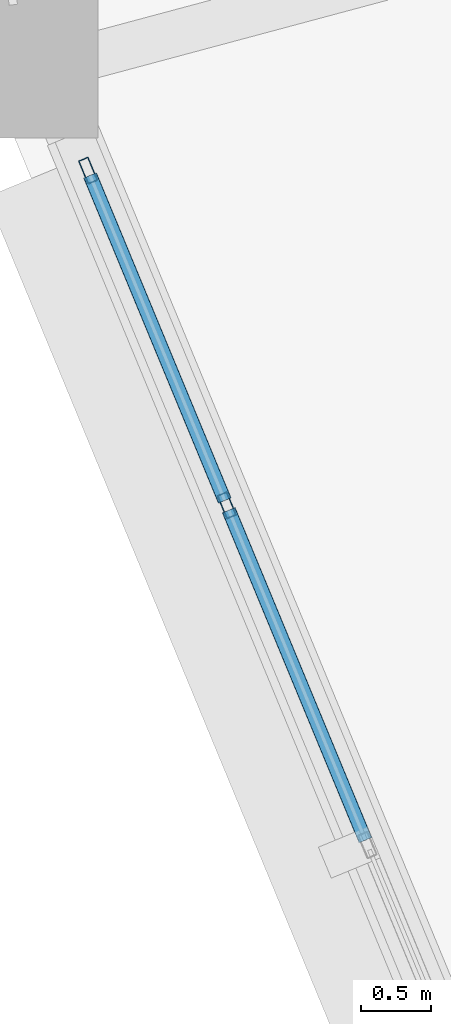
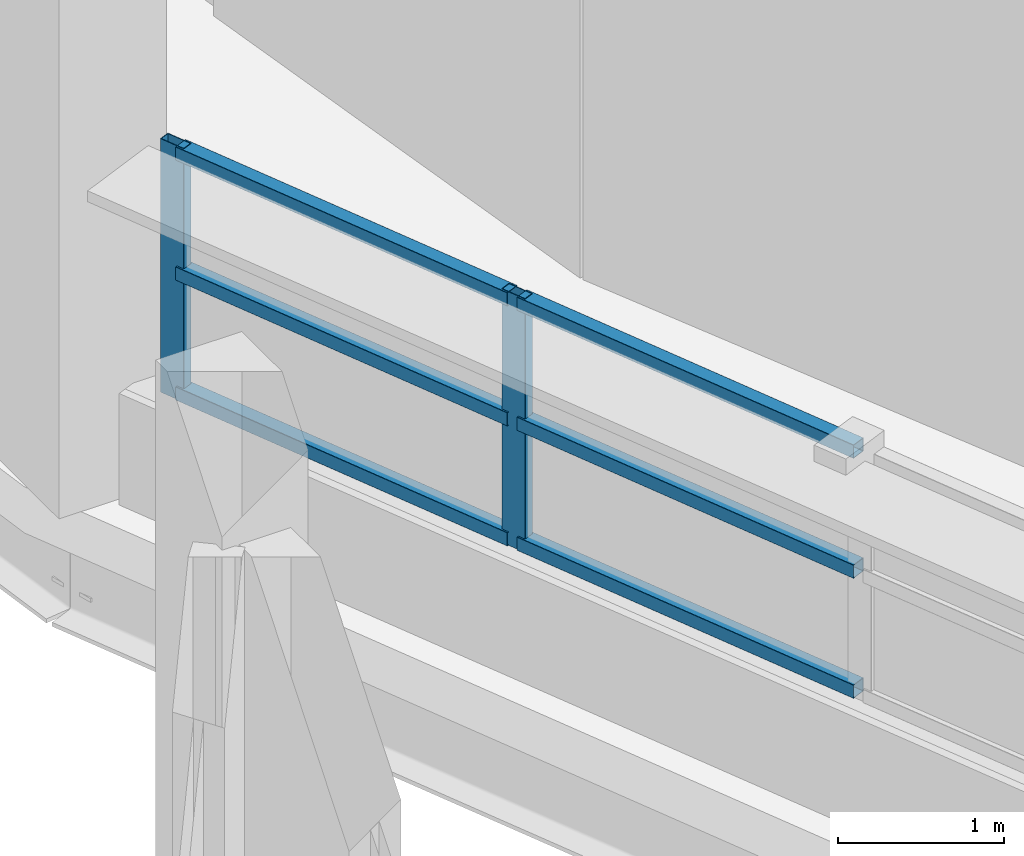
# One storey, part 18 of 121: 8 members, 1 element without a shape of its own.
"""IFC4 building model written with IfcOpenShell, lengths in metres."""

from ifc_helpers import new_model, si_unit, direction, frame, origin, origin_2d, place, context, subcontext, project, spatial, hollow_rectangle, extrude, material, layer, layer_set, material_profile, profile_set, type_object, element, aggregate, save


model = new_model("IFC4")

# Units and contexts
model_context = context("Model", 3, precision=1e-05, world=origin(), true_north=direction((0.0, 1.0)))
body_context = subcontext(model_context, "Body", "Model", "MODEL_VIEW")
ifc_project = project(units=[si_unit("LENGTHUNIT", "METRE"), si_unit("AREAUNIT", "SQUARE_METRE"), si_unit("VOLUMEUNIT", "CUBIC_METRE"), si_unit("PLANEANGLEUNIT", "RADIAN"), si_unit("MASSUNIT", "GRAM", prefix="KILO")], contexts=[model_context])

# Site, building, storey
site_placement = place(None, origin())
site = spatial("IfcSite", under=ifc_project, at=site_placement, CompositionType="ELEMENT")
building_placement = place(site_placement, origin())
building = spatial("IfcBuilding", under=site, at=building_placement, Name="Vespera Passage Community Centre", CompositionType="ELEMENT")
storey_placement = place(building_placement, frame((0.0, 0.0, 8.699951171875)))
storey = spatial("IfcBuildingStorey", under=building, at=storey_placement, Name="L02", CompositionType="ELEMENT", Elevation=8.699951171875)

# Curtain wall, members
ifc_material_1 = material(Name="Anodized aluminium 6063-T6", Category="aluminium")
ifc_layer = layer(ifc_material_1, 0.159912109375)
ifc_layer_set = layer_set([ifc_layer], Name="Anodized aluminium 6063-T6")
curtain_wall_type = type_object("IfcCurtainWallType", Name="CW-35E", PredefinedType="NOTDEFINED", material=ifc_layer_set)
curtain_wall_placement = place(storey_placement, origin())
curtain_wall = element("IfcCurtainWall", 1, at=curtain_wall_placement, inside=storey, type_object=curtain_wall_type, Name="V4 L02 Outer Ribbon Curtain Wall 13", PredefinedType="NOTDEFINED")
ifc_material_2 = material(Name="Anodized aluminium 6063-T6", Category="aluminium")
ifc_material_profile_1 = material_profile(ifc_material_2, hollow_rectangle(XDim=0.074951171875, YDim=0.179931640625, WallThickness=0.0048828125, InnerFilletRadius=0.00244140625, OuterFilletRadius=0.0048828125, at=origin_2d()), Name="ALU180X75X5")
ifc_profile_set_1 = profile_set([ifc_material_profile_1], Name="Anodized aluminium 6063-T6")
member_type_1 = type_object("IfcMemberType", Name="MB-CWM-180E", PredefinedType="MULLION", material=ifc_profile_set_1)
member_1_placement = place(storey_placement, frame((34.766845703125, 50.439453125, 0.820068359375), z_axis=(0.0, 0.0, 1.0), x_axis=(-0.923881309405, -0.382679142535, 0.0)))
member_1 = element("IfcMember", 2, at=member_1_placement, type_object=member_type_1, Name="CW-35E mullion 4", PredefinedType="MULLION", context=body_context, shape_type="SweptSolid", body=[
    extrude(hollow_rectangle(XDim=0.074951171875, YDim=0.179931640625, WallThickness=0.0048828125, InnerFilletRadius=0.00244140625, OuterFilletRadius=0.0048828125, at=origin_2d()), origin(), (0.0, 0.0, 1.0), 1.865478515625),
])
member_2_placement = place(storey_placement, frame((33.774658203125, 52.835205078125, 0.820068359375), z_axis=(0.0, 0.0, 1.0), x_axis=(-0.923881309405, -0.382679142535, 0.0)))
member_2 = element("IfcMember", 3, at=member_2_placement, type_object=member_type_1, Name="CW-35E mullion 5", PredefinedType="MULLION", context=body_context, shape_type="SweptSolid", body=[
    extrude(hollow_rectangle(XDim=0.074951171875, YDim=0.179931640625, WallThickness=0.0048828125, InnerFilletRadius=0.00244140625, OuterFilletRadius=0.0048828125, at=origin_2d()), origin(), (0.0, 0.0, 1.0), 1.865478515625),
])
ifc_material_3 = material(Name="Anodized aluminium 6063-T6", Category="aluminium")
ifc_material_profile_2 = material_profile(ifc_material_3, hollow_rectangle(XDim=0.10009765625, YDim=0.10009765625, WallThickness=0.00390625, InnerFilletRadius=0.001953125, OuterFilletRadius=0.00390625, at=origin_2d()), Name="ALU100X100X4")
ifc_profile_set_2 = profile_set([ifc_material_profile_2], Name="Anodized aluminium 6063-T6")
member_type_2 = type_object("IfcMemberType", Name="MB-CWT-100E", PredefinedType="USERDEFINED", material=ifc_profile_set_2)
member_3_placement = place(storey_placement, frame((35.759033203125, 48.0439453125, 0.8701171875), z_axis=(-0.382647130015, 0.923894568601, 0.0), x_axis=(-0.923894568601, -0.382647130015, 0.0)))
member_3 = element("IfcMember", 4, at=member_3_placement, type_object=member_type_2, Name="CW-35E transom 3.1", ObjectType="TRANSOM", PredefinedType="USERDEFINED", context=body_context, shape_type="SweptSolid", body=[
    extrude(hollow_rectangle(XDim=0.10009765625, YDim=0.10009765625, WallThickness=0.00390625, InnerFilletRadius=0.001953125, OuterFilletRadius=0.00390625, at=origin_2d()), origin(), (0.0, 0.0, 1.0), 2.555419921875),
])
member_4_placement = place(storey_placement, frame((35.759033203125, 48.0439453125, 1.7529296875), z_axis=(-0.382647130015, 0.923894568601, 0.0), x_axis=(-0.923894568601, -0.382647130015, 0.0)))
member_4 = element("IfcMember", 5, at=member_4_placement, type_object=member_type_2, Name="CW-35E transom 3.2", ObjectType="TRANSOM", PredefinedType="USERDEFINED", context=body_context, shape_type="SweptSolid", body=[
    extrude(hollow_rectangle(XDim=0.10009765625, YDim=0.10009765625, WallThickness=0.00390625, InnerFilletRadius=0.001953125, OuterFilletRadius=0.00390625, at=origin_2d()), origin(), (0.0, 0.0, 1.0), 2.555419921875),
])
member_5_placement = place(storey_placement, frame((35.759033203125, 48.0439453125, 2.6357421875), z_axis=(-0.382647130015, 0.923894568601, 0.0), x_axis=(-0.923894568601, -0.382647130015, 0.0)))
member_5 = element("IfcMember", 6, at=member_5_placement, type_object=member_type_2, Name="CW-35E transom 3.3", ObjectType="TRANSOM", PredefinedType="USERDEFINED", context=body_context, shape_type="SweptSolid", body=[
    extrude(hollow_rectangle(XDim=0.10009765625, YDim=0.10009765625, WallThickness=0.00390625, InnerFilletRadius=0.001953125, OuterFilletRadius=0.00390625, at=origin_2d()), origin(), (0.0, 0.0, 1.0), 2.555419921875),
])
member_6_placement = place(storey_placement, frame((34.75244140625, 50.47412109375, 0.8701171875), z_axis=(-0.3826800364, 0.923880939159, 0.0), x_axis=(-0.923880939159, -0.3826800364, 0.0)))
member_6 = element("IfcMember", 7, at=member_6_placement, type_object=member_type_2, Name="CW-35E transom 4.1", ObjectType="TRANSOM", PredefinedType="USERDEFINED", context=body_context, shape_type="SweptSolid", body=[
    extrude(hollow_rectangle(XDim=0.10009765625, YDim=0.10009765625, WallThickness=0.00390625, InnerFilletRadius=0.001953125, OuterFilletRadius=0.00390625, at=origin_2d()), origin(), (0.0, 0.0, 1.0), 2.51806640625),
])
member_7_placement = place(storey_placement, frame((34.75244140625, 50.47412109375, 1.7529296875), z_axis=(-0.3826800364, 0.923880939159, 0.0), x_axis=(-0.923880939159, -0.3826800364, 0.0)))
member_7 = element("IfcMember", 8, at=member_7_placement, type_object=member_type_2, Name="CW-35E transom 4.2", ObjectType="TRANSOM", PredefinedType="USERDEFINED", context=body_context, shape_type="SweptSolid", body=[
    extrude(hollow_rectangle(XDim=0.10009765625, YDim=0.10009765625, WallThickness=0.00390625, InnerFilletRadius=0.001953125, OuterFilletRadius=0.00390625, at=origin_2d()), origin(), (0.0, 0.0, 1.0), 2.51806640625),
])
member_8_placement = place(storey_placement, frame((34.75244140625, 50.47412109375, 2.6357421875), z_axis=(-0.3826800364, 0.923880939159, 0.0), x_axis=(-0.923880939159, -0.3826800364, 0.0)))
member_8 = element("IfcMember", 9, at=member_8_placement, type_object=member_type_2, Name="CW-35E transom 4.3", ObjectType="TRANSOM", PredefinedType="USERDEFINED", context=body_context, shape_type="SweptSolid", body=[
    extrude(hollow_rectangle(XDim=0.10009765625, YDim=0.10009765625, WallThickness=0.00390625, InnerFilletRadius=0.001953125, OuterFilletRadius=0.00390625, at=origin_2d()), origin(), (0.0, 0.0, 1.0), 2.51806640625),
])
aggregate(curtain_wall, [member_1, member_2, member_3, member_4, member_5, member_6, member_7, member_8])

save(model, "model.ifc")
